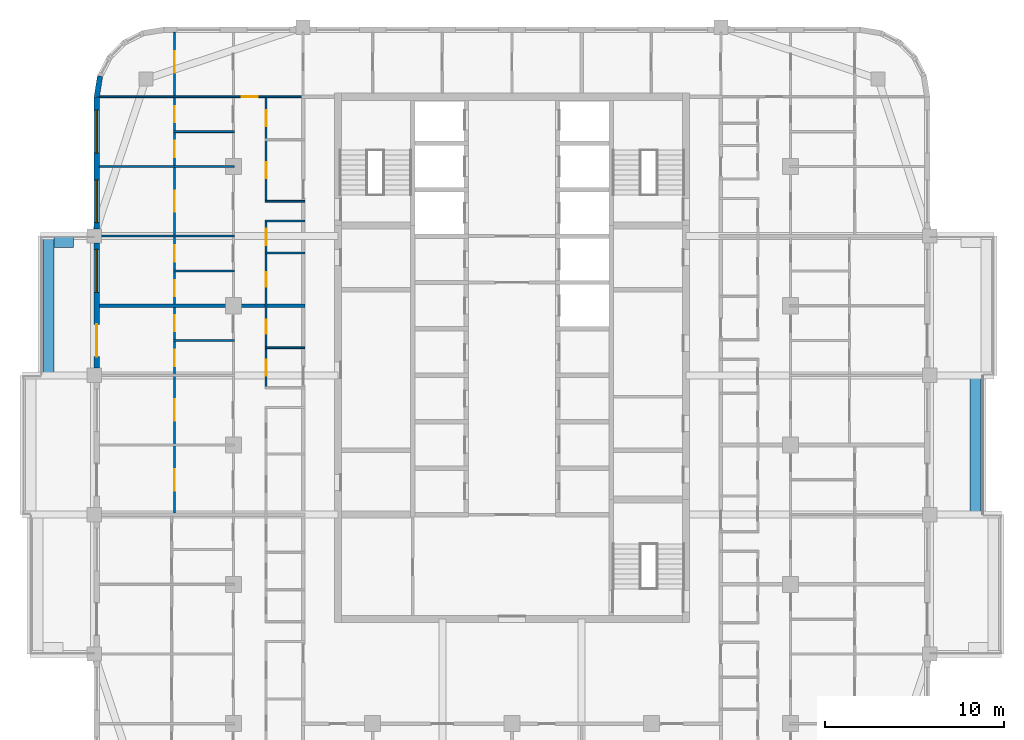
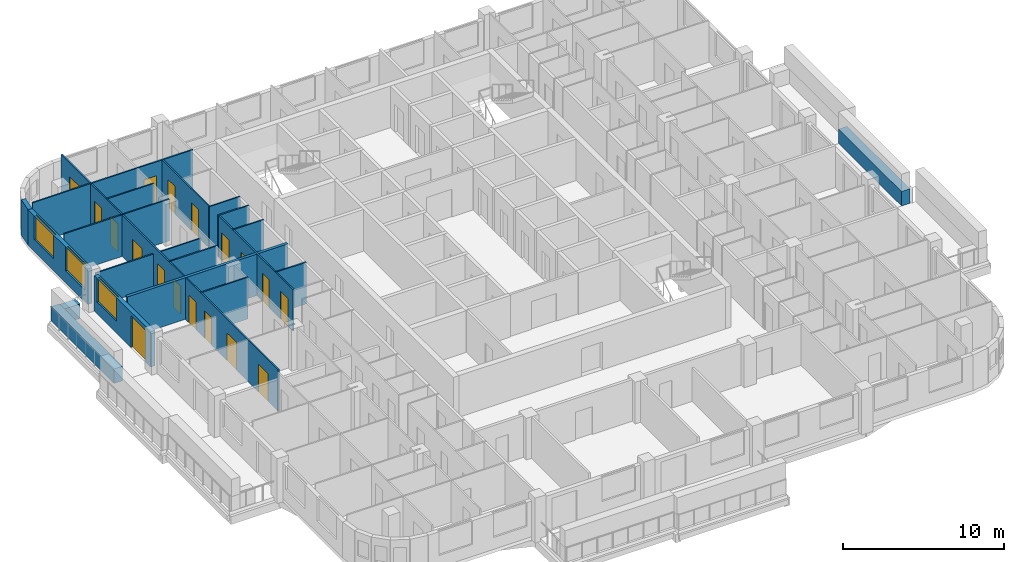
# One storey, part 8 of 16: 20 walls, 18 doors, 3 windows, 21 openings.
"""IFC4 building model written with IfcOpenShell, lengths in metres."""

from ifc_helpers import new_model, si_unit, direction, frame, frame_2d, origin, place, context, subcontext, project, spatial, rectangle, extrude, material, layer, layer_set, type_object, element, fill, save


model = new_model("IFC4")

# Units and contexts
model_context = context("Model", 3, precision=1e-05, world=origin(), true_north=direction((0.0, 1.0)))
body_context = subcontext(model_context, "Body", "Model", "MODEL_VIEW")
ifc_project = project(units=[si_unit("LENGTHUNIT", "METRE"), si_unit("AREAUNIT", "SQUARE_METRE"), si_unit("VOLUMEUNIT", "CUBIC_METRE"), si_unit("PLANEANGLEUNIT", "RADIAN"), si_unit("MASSUNIT", "GRAM", prefix="KILO")], contexts=[model_context])

# Site, building, storey
site_placement = place(None, origin())
site = spatial("IfcSite", under=ifc_project, at=site_placement, CompositionType="ELEMENT")
building_placement = place(site_placement, origin())
building = spatial("IfcBuilding", under=site, at=building_placement, Name="Ludao Terraces", CompositionType="ELEMENT")
storey_placement = place(building_placement, frame((0.0, 0.0, 217.699951171875)))
storey = spatial("IfcBuildingStorey", under=building, at=storey_placement, Name="L59", CompositionType="ELEMENT", Elevation=217.699951171875)

# Walls
ifc_material_1 = material(Name="Concrete C40", Category="concrete")
ifc_layer_1 = layer(ifc_material_1, 0.60009765625)
ifc_layer_set_1 = layer_set([ifc_layer_1], Name="ENV Planter trough 600")
wall_type_1 = type_object("IfcWallType", Name="ENV Planter trough 600", PredefinedType="USERDEFINED", material=ifc_layer_set_1)
wall_1_placement = place(storey_placement, frame((110.949951171875, 61.10009765625, 0.0), z_axis=(0.0, 0.0, 1.0), x_axis=(0.0, 1.0, 0.0)))
element("IfcWall", 1, at=wall_1_placement, inside=storey, type_object=wall_type_1, Name="PL-L59-E2", ObjectType="PLANTER", PredefinedType="USERDEFINED", context=body_context, shape_type="SweptSolid", body=[
    extrude(rectangle(XDim=7.7998046875, YDim=0.60009765625, at=frame_2d((3.89990234375, 0.0))), origin(), (0.0, 0.0, 1.0), 1.10009765625),
])
wall_2_placement = place(storey_placement, frame((59.050048828125, 68.89990234375, 0.0), z_axis=(0.0, 0.0, 1.0), x_axis=(0.0, 1.0, 0.0)))
element("IfcWall", 2, at=wall_2_placement, inside=storey, type_object=wall_type_1, Name="PL-L59-W3", ObjectType="PLANTER", PredefinedType="USERDEFINED", context=body_context, shape_type="SweptSolid", body=[
    extrude(rectangle(XDim=7.800048828125, YDim=0.60009765625, at=frame_2d((3.89990234375, 0.0))), origin(), (0.0, 0.0, 1.0), 1.10009765625),
])
wall_3_placement = place(storey_placement, frame((59.35009765625, 76.35009765625, 0.0), z_axis=(0.0, 0.0, 1.0), x_axis=(1.0, 0.0, 0.0)))
element("IfcWall", 3, at=wall_3_placement, inside=storey, type_object=wall_type_1, Name="PL-L59-W3-SB", ObjectType="PLANTER", PredefinedType="USERDEFINED", context=body_context, shape_type="SweptSolid", body=[
    extrude(rectangle(XDim=1.099853515625, YDim=0.60009765625, at=frame_2d((0.5498046875, 0.0))), origin(), (0.0, 0.0, 1.0), 1.10009765625),
])

# Wall, openings, door, window
ifc_material_2 = material(Name="Granite cladding", Category="masonry")
ifc_layer_2 = layer(ifc_material_2, 0.0400390625, Category="stone")
ifc_material_3 = material(Name="Mineral wool")
ifc_layer_3 = layer(ifc_material_3, 0.06005859375)
ifc_layer_4 = layer(ifc_material_1, 0.199951171875, Category="concrete")
ifc_layer_set_2 = layer_set([ifc_layer_2, ifc_layer_3, ifc_layer_4], Name="ENV Stone-clad wall 300")
wall_type_2 = type_object("IfcWallType", Name="ENV Stone-clad wall 300", PredefinedType="SOLIDWALL", material=ifc_layer_set_2)
wall_4_placement = place(storey_placement, frame((61.75, 69.300048828125, 0.0), z_axis=(0.0, 0.0, 1.0), x_axis=(0.0, 1.0, 0.0)))
wall_4 = element("IfcWall", 4, at=wall_4_placement, inside=storey, type_object=wall_type_2, Name="EW-L59-W4", PredefinedType="SOLIDWALL", context=body_context, shape_type="SweptSolid", body=[
    extrude(rectangle(XDim=7.0, YDim=0.300048828125, at=frame_2d((3.5, 0.0))), origin(), (0.0, 0.0, 1.0), 2.699951171875),
])
opening_1_placement = place(wall_4_placement, frame((0.64990234375, 0.0, 0.0)))
opening_1 = element("IfcOpeningElement", 5, at=opening_1_placement, cuts=wall_4, Name="Opening BD", PredefinedType="OPENING", context=body_context, shape_type="SweptSolid", body=[
    extrude(rectangle(XDim=1.800048828125, YDim=2.39990234375, at=frame_2d((0.89990234375, 1.199951171875))), frame((0.0, 0.16015625, 0.0), z_axis=(0.0, -1.0, 0.0), x_axis=(1.0, 0.0, 0.0)), (0.0, 0.0, 1.0), 0.320068359375),
])
opening_2_placement = place(wall_4_placement, frame((4.25, 0.0, 0.89990234375)))
opening_2 = element("IfcOpeningElement", 6, at=opening_2_placement, cuts=wall_4, Name="Opening W1", PredefinedType="OPENING", context=body_context, shape_type="SweptSolid", body=[
    extrude(rectangle(XDim=2.39990234375, YDim=1.800048828125, at=frame_2d((1.199951171875, 0.89990234375))), frame((0.0, 0.16015625, 0.0), z_axis=(0.0, -1.0, 0.0), x_axis=(1.0, 0.0, 0.0)), (0.0, 0.0, 1.0), 0.320068359375),
])
ifc_material_4 = material(Name="Aluminium glazed door", Category="aluminium")
ifc_layer_5 = layer(ifc_material_4, 0.06005859375)
ifc_layer_set_3 = layer_set([ifc_layer_5], Name="ENV Balcony door BD 1800x2400")
door_type_1 = type_object("IfcDoorType", Name="ENV Balcony door BD 1800x2400", OperationType="DOUBLE_DOOR_SINGLE_SWING", PredefinedType="DOOR", material=ifc_layer_set_3)
door_1_placement = place(opening_1_placement, origin())
door_1 = element("IfcDoor", 7, at=door_1_placement, inside=storey, type_object=door_type_1, Name="BD-L59-W4-1", OperationType="DOUBLE_DOOR_SINGLE_SWING", OverallHeight=2.39990234375, OverallWidth=1.800048828125, PredefinedType="DOOR", context=body_context, shape_type="SweptSolid", body=[
    extrude(rectangle(XDim=1.800048828125, YDim=2.39990234375, at=frame_2d((0.89990234375, 1.199951171875))), frame((0.0, 0.02490234375, 0.0), z_axis=(0.0, -1.0, 0.0), x_axis=(1.0, 0.0, 0.0)), (0.0, 0.0, 1.0), 0.050048828125),
])
fill(opening_1, door_1)
ifc_material_5 = material(Name="Clear glass in aluminium frame", Category="aluminium")
ifc_layer_6 = layer(ifc_material_5, 0.06005859375)
ifc_layer_set_4 = layer_set([ifc_layer_6], Name="ENV Window W1 2400x1800")
window_type = type_object("IfcWindowType", Name="ENV Window W1 2400x1800", PartitioningType="DOUBLE_PANEL_VERTICAL", PredefinedType="WINDOW", material=ifc_layer_set_4)
window_1_placement = place(opening_2_placement, origin())
window_1 = element("IfcWindow", 8, at=window_1_placement, inside=storey, type_object=window_type, Name="W-L59-W4-2", OverallHeight=1.800048828125, OverallWidth=2.39990234375, PartitioningType="DOUBLE_PANEL_VERTICAL", PredefinedType="WINDOW", context=body_context, shape_type="SweptSolid", body=[
    extrude(rectangle(XDim=2.39990234375, YDim=1.800048828125, at=frame_2d((1.199951171875, 0.89990234375))), frame((0.0, 0.030029296875, 0.0), z_axis=(0.0, -1.0, 0.0), x_axis=(1.0, 0.0, 0.0)), (0.0, 0.0, 1.0), 0.06005859375),
])
fill(opening_2, window_1)

# Wall, openings, windows
wall_5_placement = place(storey_placement, frame((61.75, 77.10009765625, 0.0), z_axis=(0.0, 0.0, 1.0), x_axis=(0.0, 1.0, 0.0)))
wall_5 = element("IfcWall", 9, at=wall_5_placement, inside=storey, type_object=wall_type_2, Name="EW-L59-W5", PredefinedType="SOLIDWALL", context=body_context, shape_type="SweptSolid", body=[
    extrude(rectangle(XDim=7.39990234375, YDim=0.300048828125, at=frame_2d((3.699951171875, 0.0))), origin(), (0.0, 0.0, 1.0), 2.699951171875),
])
opening_3_placement = place(wall_5_placement, frame((0.35009765625, 0.0, 0.89990234375)))
opening_3 = element("IfcOpeningElement", 10, at=opening_3_placement, cuts=wall_5, Name="Opening W1", PredefinedType="OPENING", context=body_context, shape_type="SweptSolid", body=[
    extrude(rectangle(XDim=2.39990234375, YDim=1.800048828125, at=frame_2d((1.199951171875, 0.89990234375))), frame((0.0, 0.16015625, 0.0), z_axis=(0.0, -1.0, 0.0), x_axis=(1.0, 0.0, 0.0)), (0.0, 0.0, 1.0), 0.320068359375),
])
opening_4_placement = place(wall_5_placement, frame((4.25, 0.0, 0.89990234375)))
opening_4 = element("IfcOpeningElement", 11, at=opening_4_placement, cuts=wall_5, Name="Opening W1", PredefinedType="OPENING", context=body_context, shape_type="SweptSolid", body=[
    extrude(rectangle(XDim=2.39990234375, YDim=1.800048828125, at=frame_2d((1.199951171875, 0.89990234375))), frame((0.0, 0.16015625, 0.0), z_axis=(0.0, -1.0, 0.0), x_axis=(1.0, 0.0, 0.0)), (0.0, 0.0, 1.0), 0.320068359375),
])
window_2_placement = place(opening_3_placement, origin())
window_2 = element("IfcWindow", 12, at=window_2_placement, inside=storey, type_object=window_type, Name="W-L59-W5-1", OverallHeight=1.800048828125, OverallWidth=2.39990234375, PartitioningType="DOUBLE_PANEL_VERTICAL", PredefinedType="WINDOW", context=body_context, shape_type="SweptSolid", body=[
    extrude(rectangle(XDim=2.39990234375, YDim=1.800048828125, at=frame_2d((1.199951171875, 0.89990234375))), frame((0.0, 0.030029296875, 0.0), z_axis=(0.0, -1.0, 0.0), x_axis=(1.0, 0.0, 0.0)), (0.0, 0.0, 1.0), 0.06005859375),
])
fill(opening_3, window_2)
window_3_placement = place(opening_4_placement, origin())
window_3 = element("IfcWindow", 13, at=window_3_placement, inside=storey, type_object=window_type, Name="W-L59-W5-2", OverallHeight=1.800048828125, OverallWidth=2.39990234375, PartitioningType="DOUBLE_PANEL_VERTICAL", PredefinedType="WINDOW", context=body_context, shape_type="SweptSolid", body=[
    extrude(rectangle(XDim=2.39990234375, YDim=1.800048828125, at=frame_2d((1.199951171875, 0.89990234375))), frame((0.0, 0.030029296875, 0.0), z_axis=(0.0, -1.0, 0.0), x_axis=(1.0, 0.0, 0.0)), (0.0, 0.0, 1.0), 0.06005859375),
])
fill(opening_4, window_3)

# Walls
wall_6_placement = place(storey_placement, frame((61.93359375, 85.65869140625, 0.0), z_axis=(0.0, 0.0, 1.0), x_axis=(-0.156496880861, -0.987678452879, 0.0)))
element("IfcWall", 14, at=wall_6_placement, inside=storey, type_object=wall_type_2, Name="EW-L59-NW5", PredefinedType="SOLIDWALL", context=body_context, shape_type="SweptSolid", body=[
    extrude(rectangle(XDim=1.173095703125, YDim=0.300048828125, at=frame_2d((0.58642578125, 0.0))), origin(), (0.0, 0.0, 1.0), 2.699951171875),
])
ifc_material_6 = material(Name="Gypsum plasterboard", Category="gypsum")
ifc_layer_7 = layer(ifc_material_6, 0.012451171875, Category="gypsum")
ifc_layer_8 = layer(ifc_material_3, 0.06005859375, Name="insulation")
ifc_material_7 = material(Name="Steel Q235", Category="steel")
ifc_layer_9 = layer(ifc_material_7, 0.014892578125, Name="stud")
ifc_layer_10 = layer(ifc_material_6, 0.012451171875, Category="gypsum")
ifc_layer_set_5 = layer_set([ifc_layer_7, ifc_layer_8, ifc_layer_9, ifc_layer_10], Name="INT Partition 100")
wall_type_3 = type_object("IfcWallType", Name="INT Partition 100", PredefinedType="PARTITIONING", material=ifc_layer_set_5)
wall_7_placement = place(storey_placement, frame((71.18017578125, 70.449951171875, 0.0), z_axis=(0.0, 0.0, 1.0), x_axis=(1.0, 0.0, 0.0)))
element("IfcWall", 15, at=wall_7_placement, inside=storey, type_object=wall_type_3, Name="PW-L59-PW041", PredefinedType="PARTITIONING", context=body_context, shape_type="SweptSolid", body=[
    extrude(rectangle(XDim=2.219970703125, YDim=0.10009765625, at=frame_2d((1.10986328125, 0.0))), origin(), (0.0, 0.0, 1.0), 3.150146484375),
])
for number, where, z_axis, x_axis, name in (
    (16, (66.050048828125, 70.85009765625, 0.0), (0.0, 0.0, 1.0), (1.0, 0.0, 0.0), "PW-L59-PW042"),
    (17, (66.050048828125, 74.75, 0.0), (0.0, 0.0, 1.0), (1.0, 0.0, 0.0), "PW-L59-PW049"),
):
    element("IfcWall", number, at=place(storey_placement, frame(where, z_axis=z_axis, x_axis=x_axis)), inside=storey, type_object=wall_type_3, Name=name, PredefinedType="PARTITIONING", context=body_context, shape_type="SweptSolid", body=[
        extrude(rectangle(XDim=3.400146484375, YDim=0.10009765625, at=frame_2d((1.7001953125, 0.0))), origin(), (0.0, 0.0, 1.0), 3.150146484375),
    ])
wall_8_placement = place(storey_placement, frame((71.18017578125, 75.75, 0.0), z_axis=(0.0, 0.0, 1.0), x_axis=(1.0, 0.0, 0.0)))
element("IfcWall", 18, at=wall_8_placement, inside=storey, type_object=wall_type_3, Name="PW-L59-PW051", PredefinedType="PARTITIONING", context=body_context, shape_type="SweptSolid", body=[
    extrude(rectangle(XDim=2.219970703125, YDim=0.10009765625, at=frame_2d((1.10986328125, 0.0))), origin(), (0.0, 0.0, 1.0), 3.150146484375),
])
wall_9_placement = place(storey_placement, frame((61.900146484375, 76.699951171875, 0.0), z_axis=(0.0, 0.0, 1.0), x_axis=(1.0, 0.0, 0.0)))
element("IfcWall", 19, at=wall_9_placement, inside=storey, type_object=wall_type_3, Name="PW-L59-PW052", PredefinedType="PARTITIONING", context=body_context, shape_type="SweptSolid", body=[
    extrude(rectangle(XDim=7.550048828125, YDim=0.10009765625, at=frame_2d((3.77490234375, 0.0))), origin(), (0.0, 0.0, 1.0), 2.550048828125),
])
for number, where, z_axis, x_axis, name in (
    (20, (71.18017578125, 77.550048828125, 0.0), (0.0, 0.0, 1.0), (1.0, 0.0, 0.0), "PW-L59-PW055"),
    (21, (71.18017578125, 78.64990234375, 0.0), (0.0, 0.0, 1.0), (1.0, 0.0, 0.0), "PW-L59-PW056"),
):
    element("IfcWall", number, at=place(storey_placement, frame(where, z_axis=z_axis, x_axis=x_axis)), inside=storey, type_object=wall_type_3, Name=name, PredefinedType="PARTITIONING", context=body_context, shape_type="SweptSolid", body=[
        extrude(rectangle(XDim=2.219970703125, YDim=0.10009765625, at=frame_2d((1.10986328125, 0.0))), origin(), (0.0, 0.0, 1.0), 3.150146484375),
    ])
wall_10_placement = place(storey_placement, frame((61.900146484375, 80.60009765625, 0.0), z_axis=(0.0, 0.0, 1.0), x_axis=(1.0, 0.0, 0.0)))
element("IfcWall", 22, at=wall_10_placement, inside=storey, type_object=wall_type_3, Name="PW-L59-PW059", PredefinedType="PARTITIONING", context=body_context, shape_type="SweptSolid", body=[
    extrude(rectangle(XDim=7.550048828125, YDim=0.10009765625, at=frame_2d((3.77490234375, 0.0))), origin(), (0.0, 0.0, 1.0), 3.150146484375),
])
wall_11_placement = place(storey_placement, frame((66.050048828125, 82.550048828125, 0.0), z_axis=(0.0, 0.0, 1.0), x_axis=(1.0, 0.0, 0.0)))
element("IfcWall", 23, at=wall_11_placement, inside=storey, type_object=wall_type_3, Name="PW-L59-PW063", PredefinedType="PARTITIONING", context=body_context, shape_type="SweptSolid", body=[
    extrude(rectangle(XDim=3.400146484375, YDim=0.10009765625, at=frame_2d((1.7001953125, 0.0))), origin(), (0.0, 0.0, 1.0), 3.150146484375),
])

# Wall, opening, door
wall_12_placement = place(storey_placement, frame((61.900146484375, 84.5, 0.0), z_axis=(0.0, 0.0, 1.0), x_axis=(1.0, 0.0, 0.0)))
wall_12 = element("IfcWall", 24, at=wall_12_placement, inside=storey, type_object=wall_type_3, Name="PW-L59-PW066", PredefinedType="PARTITIONING", context=body_context, shape_type="SweptSolid", body=[
    extrude(rectangle(XDim=11.5, YDim=0.10009765625, at=frame_2d((5.75, 0.0))), origin(), (0.0, 0.0, 1.0), 3.150146484375),
])
opening_5_placement = place(wall_12_placement, frame((7.965087890625, 0.0, 0.0)))
opening_5 = element("IfcOpeningElement", 25, at=opening_5_placement, cuts=wall_12, Name="Opening R21-133", PredefinedType="OPENING", context=body_context, shape_type="SweptSolid", body=[
    extrude(rectangle(XDim=0.89990234375, YDim=2.10009765625, at=frame_2d((0.449951171875, 1.050048828125))), frame((0.0, 0.06005859375, 0.0), z_axis=(0.0, -1.0, 0.0), x_axis=(1.0, 0.0, 0.0)), (0.0, 0.0, 1.0), 0.1201171875),
])
ifc_material_8 = material(Name="Timber door leaf", Category="wood")
door_type_2 = type_object("IfcDoorType", Name="INT Room door 900", OperationType="SINGLE_SWING_LEFT", PredefinedType="DOOR", material=ifc_material_8)
door_2_placement = place(opening_5_placement, origin())
door_2 = element("IfcDoor", 26, at=door_2_placement, inside=storey, type_object=door_type_2, Name="DOOR 133", OperationType="SINGLE_SWING_RIGHT", OverallHeight=2.10009765625, OverallWidth=0.89990234375, PredefinedType="DOOR", context=body_context, shape_type="SweptSolid", body=[
    extrude(rectangle(XDim=0.89990234375, YDim=2.10009765625, at=frame_2d((0.449951171875, 1.050048828125))), frame((0.0, 0.02490234375, 0.0), z_axis=(0.0, -1.0, 0.0), x_axis=(1.0, 0.0, 0.0)), (0.0, 0.0, 1.0), 0.050048828125),
])
fill(opening_5, door_2)

# Wall, openings, doors
wall_13_placement = place(storey_placement, frame((66.10009765625, 61.2001953125, 0.0), z_axis=(0.0, 0.0, 1.0), x_axis=(0.0, 1.0, 0.0)))
wall_13 = element("IfcWall", 27, at=wall_13_placement, inside=storey, type_object=wall_type_3, Name="PW-L59-PW071", PredefinedType="PARTITIONING", context=body_context, shape_type="SweptSolid", body=[
    extrude(rectangle(XDim=26.89990234375, YDim=0.10009765625, at=frame_2d((13.449951171875, 0.0))), origin(), (0.0, 0.0, 1.0), 3.150146484375),
])
opening_6_placement = place(wall_13_placement, frame((1.25, 0.0, 0.0)))
opening_6 = element("IfcOpeningElement", 28, at=opening_6_placement, cuts=wall_13, Name="Opening R21-057", PredefinedType="OPENING", context=body_context, shape_type="SweptSolid", body=[
    extrude(rectangle(XDim=1.199951171875, YDim=2.10009765625, at=frame_2d((0.60009765625, 1.050048828125))), frame((0.0, 0.06005859375, 0.0), z_axis=(0.0, -1.0, 0.0), x_axis=(1.0, 0.0, 0.0)), (0.0, 0.0, 1.0), 0.1201171875),
])
opening_7_placement = place(wall_13_placement, frame((5.14990234375, 0.0, 0.0)))
opening_7 = element("IfcOpeningElement", 29, at=opening_7_placement, cuts=wall_13, Name="Opening R21-068", PredefinedType="OPENING", context=body_context, shape_type="SweptSolid", body=[
    extrude(rectangle(XDim=1.199951171875, YDim=2.10009765625, at=frame_2d((0.60009765625, 1.050048828125))), frame((0.0, 0.06005859375, 0.0), z_axis=(0.0, -1.0, 0.0), x_axis=(1.0, 0.0, 0.0)), (0.0, 0.0, 1.0), 0.1201171875),
])
opening_8_placement = place(wall_13_placement, frame((8.224853515625, 0.0, 0.0)))
opening_8 = element("IfcOpeningElement", 30, at=opening_8_placement, cuts=wall_13, Name="Opening R21-078", PredefinedType="OPENING", context=body_context, shape_type="SweptSolid", body=[
    extrude(rectangle(XDim=0.89990234375, YDim=2.10009765625, at=frame_2d((0.449951171875, 1.050048828125))), frame((0.0, 0.06005859375, 0.0), z_axis=(0.0, -1.0, 0.0), x_axis=(1.0, 0.0, 0.0)), (0.0, 0.0, 1.0), 0.1201171875),
])
opening_9_placement = place(wall_13_placement, frame((10.1748046875, 0.0, 0.0)))
opening_9 = element("IfcOpeningElement", 31, at=opening_9_placement, cuts=wall_13, Name="Opening R21-087", PredefinedType="OPENING", context=body_context, shape_type="SweptSolid", body=[
    extrude(rectangle(XDim=0.89990234375, YDim=2.10009765625, at=frame_2d((0.449951171875, 1.050048828125))), frame((0.0, 0.06005859375, 0.0), z_axis=(0.0, -1.0, 0.0), x_axis=(1.0, 0.0, 0.0)), (0.0, 0.0, 1.0), 0.1201171875),
])
opening_10_placement = place(wall_13_placement, frame((12.125, 0.0, 0.0)))
opening_10 = element("IfcOpeningElement", 32, at=opening_10_placement, cuts=wall_13, Name="Opening R21-092", PredefinedType="OPENING", context=body_context, shape_type="SweptSolid", body=[
    extrude(rectangle(XDim=0.89990234375, YDim=2.10009765625, at=frame_2d((0.449951171875, 1.050048828125))), frame((0.0, 0.06005859375, 0.0), z_axis=(0.0, -1.0, 0.0), x_axis=(1.0, 0.0, 0.0)), (0.0, 0.0, 1.0), 0.1201171875),
])
opening_11_placement = place(wall_13_placement, frame((14.074951171875, 0.0, 0.0)))
opening_11 = element("IfcOpeningElement", 33, at=opening_11_placement, cuts=wall_13, Name="Opening R21-101", PredefinedType="OPENING", context=body_context, shape_type="SweptSolid", body=[
    extrude(rectangle(XDim=0.89990234375, YDim=2.10009765625, at=frame_2d((0.449951171875, 1.050048828125))), frame((0.0, 0.06005859375, 0.0), z_axis=(0.0, -1.0, 0.0), x_axis=(1.0, 0.0, 0.0)), (0.0, 0.0, 1.0), 0.1201171875),
])
opening_12_placement = place(wall_13_placement, frame((16.849853515625, 0.0, 0.0)))
opening_12 = element("IfcOpeningElement", 34, at=opening_12_placement, cuts=wall_13, Name="Opening R21-112", PredefinedType="OPENING", context=body_context, shape_type="SweptSolid", body=[
    extrude(rectangle(XDim=1.199951171875, YDim=2.10009765625, at=frame_2d((0.60009765625, 1.050048828125))), frame((0.0, 0.06005859375, 0.0), z_axis=(0.0, -1.0, 0.0), x_axis=(1.0, 0.0, 0.0)), (0.0, 0.0, 1.0), 0.1201171875),
])
opening_13_placement = place(wall_13_placement, frame((19.9248046875, 0.0, 0.0)))
opening_13 = element("IfcOpeningElement", 35, at=opening_13_placement, cuts=wall_13, Name="Opening R21-122", PredefinedType="OPENING", context=body_context, shape_type="SweptSolid", body=[
    extrude(rectangle(XDim=0.89990234375, YDim=2.10009765625, at=frame_2d((0.449951171875, 1.050048828125))), frame((0.0, 0.06005859375, 0.0), z_axis=(0.0, -1.0, 0.0), x_axis=(1.0, 0.0, 0.0)), (0.0, 0.0, 1.0), 0.1201171875),
])
opening_14_placement = place(wall_13_placement, frame((21.875, 0.0, 0.0)))
opening_14 = element("IfcOpeningElement", 36, at=opening_14_placement, cuts=wall_13, Name="Opening R21-128", PredefinedType="OPENING", context=body_context, shape_type="SweptSolid", body=[
    extrude(rectangle(XDim=0.89990234375, YDim=2.10009765625, at=frame_2d((0.449951171875, 1.050048828125))), frame((0.0, 0.06005859375, 0.0), z_axis=(0.0, -1.0, 0.0), x_axis=(1.0, 0.0, 0.0)), (0.0, 0.0, 1.0), 0.1201171875),
])
opening_15_placement = place(wall_13_placement, frame((24.64990234375, 0.0, 0.0)))
opening_15 = element("IfcOpeningElement", 37, at=opening_15_placement, cuts=wall_13, Name="Opening R21-135", PredefinedType="OPENING", context=body_context, shape_type="SweptSolid", body=[
    extrude(rectangle(XDim=1.199951171875, YDim=2.10009765625, at=frame_2d((0.60009765625, 1.050048828125))), frame((0.0, 0.06005859375, 0.0), z_axis=(0.0, -1.0, 0.0), x_axis=(1.0, 0.0, 0.0)), (0.0, 0.0, 1.0), 0.1201171875),
])
door_type_3 = type_object("IfcDoorType", Name="INT Bathroom door 900", OperationType="SINGLE_SWING_LEFT", PredefinedType="DOOR", material=ifc_material_8)
door_3_placement = place(opening_8_placement, origin())
door_3 = element("IfcDoor", 38, at=door_3_placement, inside=storey, type_object=door_type_3, Name="DOOR 078", OperationType="SINGLE_SWING_RIGHT", OverallHeight=2.10009765625, OverallWidth=0.89990234375, PredefinedType="DOOR", context=body_context, shape_type="SweptSolid", body=[
    extrude(rectangle(XDim=0.89990234375, YDim=2.10009765625, at=frame_2d((0.449951171875, 1.050048828125))), frame((0.0, 0.02490234375, 0.0), z_axis=(0.0, -1.0, 0.0), x_axis=(1.0, 0.0, 0.0)), (0.0, 0.0, 1.0), 0.050048828125),
])
fill(opening_8, door_3)
door_4_placement = place(opening_10_placement, origin())
door_4 = element("IfcDoor", 39, at=door_4_placement, inside=storey, type_object=door_type_3, Name="DOOR 092", OperationType="SINGLE_SWING_RIGHT", OverallHeight=2.10009765625, OverallWidth=0.89990234375, PredefinedType="DOOR", context=body_context, shape_type="SweptSolid", body=[
    extrude(rectangle(XDim=0.89990234375, YDim=2.10009765625, at=frame_2d((0.449951171875, 1.050048828125))), frame((0.0, 0.02490234375, 0.0), z_axis=(0.0, -1.0, 0.0), x_axis=(1.0, 0.0, 0.0)), (0.0, 0.0, 1.0), 0.050048828125),
])
fill(opening_10, door_4)
door_5_placement = place(opening_13_placement, origin())
door_5 = element("IfcDoor", 40, at=door_5_placement, inside=storey, type_object=door_type_3, Name="DOOR 122", OperationType="SINGLE_SWING_LEFT", OverallHeight=2.10009765625, OverallWidth=0.89990234375, PredefinedType="DOOR", context=body_context, shape_type="SweptSolid", body=[
    extrude(rectangle(XDim=0.89990234375, YDim=2.10009765625, at=frame_2d((0.449951171875, 1.050048828125))), frame((0.0, 0.02490234375, 0.0), z_axis=(0.0, -1.0, 0.0), x_axis=(1.0, 0.0, 0.0)), (0.0, 0.0, 1.0), 0.050048828125),
])
fill(opening_13, door_5)
door_type_4 = type_object("IfcDoorType", Name="INT Double door 1200", OperationType="DOUBLE_DOOR_SINGLE_SWING", PredefinedType="DOOR", material=ifc_material_8)
door_6_placement = place(opening_6_placement, origin())
door_6 = element("IfcDoor", 41, at=door_6_placement, inside=storey, type_object=door_type_4, Name="DOOR 057", OperationType="DOUBLE_DOOR_SINGLE_SWING", OverallHeight=2.10009765625, OverallWidth=1.199951171875, PredefinedType="DOOR", context=body_context, shape_type="SweptSolid", body=[
    extrude(rectangle(XDim=1.199951171875, YDim=2.10009765625, at=frame_2d((0.60009765625, 1.050048828125))), frame((0.0, 0.02490234375, 0.0), z_axis=(0.0, -1.0, 0.0), x_axis=(1.0, 0.0, 0.0)), (0.0, 0.0, 1.0), 0.050048828125),
])
fill(opening_6, door_6)
door_7_placement = place(opening_7_placement, origin())
door_7 = element("IfcDoor", 42, at=door_7_placement, inside=storey, type_object=door_type_4, Name="DOOR 068", OperationType="DOUBLE_DOOR_SINGLE_SWING", OverallHeight=2.10009765625, OverallWidth=1.199951171875, PredefinedType="DOOR", context=body_context, shape_type="SweptSolid", body=[
    extrude(rectangle(XDim=1.199951171875, YDim=2.10009765625, at=frame_2d((0.60009765625, 1.050048828125))), frame((0.0, 0.02490234375, 0.0), z_axis=(0.0, -1.0, 0.0), x_axis=(1.0, 0.0, 0.0)), (0.0, 0.0, 1.0), 0.050048828125),
])
fill(opening_7, door_7)
door_8_placement = place(opening_12_placement, origin())
door_8 = element("IfcDoor", 43, at=door_8_placement, inside=storey, type_object=door_type_4, Name="DOOR 112", OperationType="DOUBLE_DOOR_SINGLE_SWING", OverallHeight=2.10009765625, OverallWidth=1.199951171875, PredefinedType="DOOR", context=body_context, shape_type="SweptSolid", body=[
    extrude(rectangle(XDim=1.199951171875, YDim=2.10009765625, at=frame_2d((0.60009765625, 1.050048828125))), frame((0.0, 0.02490234375, 0.0), z_axis=(0.0, -1.0, 0.0), x_axis=(1.0, 0.0, 0.0)), (0.0, 0.0, 1.0), 0.050048828125),
])
fill(opening_12, door_8)
door_9_placement = place(opening_15_placement, origin())
door_9 = element("IfcDoor", 44, at=door_9_placement, inside=storey, type_object=door_type_4, Name="DOOR 135", OperationType="DOUBLE_DOOR_SINGLE_SWING", OverallHeight=2.10009765625, OverallWidth=1.199951171875, PredefinedType="DOOR", context=body_context, shape_type="SweptSolid", body=[
    extrude(rectangle(XDim=1.199951171875, YDim=2.10009765625, at=frame_2d((0.60009765625, 1.050048828125))), frame((0.0, 0.02490234375, 0.0), z_axis=(0.0, -1.0, 0.0), x_axis=(1.0, 0.0, 0.0)), (0.0, 0.0, 1.0), 0.050048828125),
])
fill(opening_15, door_9)
door_10_placement = place(opening_9_placement, origin())
door_10 = element("IfcDoor", 45, at=door_10_placement, inside=storey, type_object=door_type_2, Name="DOOR 087", OperationType="SINGLE_SWING_RIGHT", OverallHeight=2.10009765625, OverallWidth=0.89990234375, PredefinedType="DOOR", context=body_context, shape_type="SweptSolid", body=[
    extrude(rectangle(XDim=0.89990234375, YDim=2.10009765625, at=frame_2d((0.449951171875, 1.050048828125))), frame((0.0, 0.02490234375, 0.0), z_axis=(0.0, -1.0, 0.0), x_axis=(1.0, 0.0, 0.0)), (0.0, 0.0, 1.0), 0.050048828125),
])
fill(opening_9, door_10)
door_11_placement = place(opening_11_placement, origin())
door_11 = element("IfcDoor", 46, at=door_11_placement, inside=storey, type_object=door_type_2, Name="DOOR 101", OperationType="SINGLE_SWING_RIGHT", OverallHeight=2.10009765625, OverallWidth=0.89990234375, PredefinedType="DOOR", context=body_context, shape_type="SweptSolid", body=[
    extrude(rectangle(XDim=0.89990234375, YDim=2.10009765625, at=frame_2d((0.449951171875, 1.050048828125))), frame((0.0, 0.02490234375, 0.0), z_axis=(0.0, -1.0, 0.0), x_axis=(1.0, 0.0, 0.0)), (0.0, 0.0, 1.0), 0.050048828125),
])
fill(opening_11, door_11)
door_12_placement = place(opening_14_placement, origin())
door_12 = element("IfcDoor", 47, at=door_12_placement, inside=storey, type_object=door_type_2, Name="DOOR 128", OperationType="SINGLE_SWING_RIGHT", OverallHeight=2.10009765625, OverallWidth=0.89990234375, PredefinedType="DOOR", context=body_context, shape_type="SweptSolid", body=[
    extrude(rectangle(XDim=0.89990234375, YDim=2.10009765625, at=frame_2d((0.449951171875, 1.050048828125))), frame((0.0, 0.02490234375, 0.0), z_axis=(0.0, -1.0, 0.0), x_axis=(1.0, 0.0, 0.0)), (0.0, 0.0, 1.0), 0.050048828125),
])
fill(opening_14, door_12)

wall_14_placement = place(storey_placement, frame((71.22998046875, 68.25, 0.0), z_axis=(0.0, 0.0, 1.0), x_axis=(0.0, 1.0, 0.0)))
wall_14 = element("IfcWall", 48, at=wall_14_placement, inside=storey, type_object=wall_type_3, Name="PW-L59-PW075", PredefinedType="PARTITIONING", context=body_context, shape_type="SweptSolid", body=[
    extrude(rectangle(XDim=9.25, YDim=0.10009765625, at=frame_2d((4.625, 0.0))), origin(), (0.0, 0.0, 1.0), 3.150146484375),
])
opening_16_placement = place(wall_14_placement, frame((0.625, 0.0, 0.0)))
opening_16 = element("IfcOpeningElement", 49, at=opening_16_placement, cuts=wall_14, Name="Opening R21-077", PredefinedType="OPENING", context=body_context, shape_type="SweptSolid", body=[
    extrude(rectangle(XDim=0.89990234375, YDim=2.10009765625, at=frame_2d((0.449951171875, 1.050048828125))), frame((0.0, 0.06005859375, 0.0), z_axis=(0.0, -1.0, 0.0), x_axis=(1.0, 0.0, 0.0)), (0.0, 0.0, 1.0), 0.1201171875),
])
opening_17_placement = place(wall_14_placement, frame((2.97509765625, 0.0, 0.0)))
opening_17 = element("IfcOpeningElement", 50, at=opening_17_placement, cuts=wall_14, Name="Opening R21-084", PredefinedType="OPENING", context=body_context, shape_type="SweptSolid", body=[
    extrude(rectangle(XDim=0.800048828125, YDim=2.10009765625, at=frame_2d((0.39990234375, 1.050048828125))), frame((0.0, 0.06005859375, 0.0), z_axis=(0.0, -1.0, 0.0), x_axis=(1.0, 0.0, 0.0)), (0.0, 0.0, 1.0), 0.1201171875),
])
opening_18_placement = place(wall_14_placement, frame((5.625, 0.0, 0.0)))
opening_18 = element("IfcOpeningElement", 51, at=opening_18_placement, cuts=wall_14, Name="Opening R21-095", PredefinedType="OPENING", context=body_context, shape_type="SweptSolid", body=[
    extrude(rectangle(XDim=0.800048828125, YDim=2.10009765625, at=frame_2d((0.39990234375, 1.050048828125))), frame((0.0, 0.06005859375, 0.0), z_axis=(0.0, -1.0, 0.0), x_axis=(1.0, 0.0, 0.0)), (0.0, 0.0, 1.0), 0.1201171875),
])
opening_19_placement = place(wall_14_placement, frame((7.9501953125, 0.0, 0.0)))
opening_19 = element("IfcOpeningElement", 52, at=opening_19_placement, cuts=wall_14, Name="Opening R21-105", PredefinedType="OPENING", context=body_context, shape_type="SweptSolid", body=[
    extrude(rectangle(XDim=0.89990234375, YDim=2.10009765625, at=frame_2d((0.449951171875, 1.050048828125))), frame((0.0, 0.06005859375, 0.0), z_axis=(0.0, -1.0, 0.0), x_axis=(1.0, 0.0, 0.0)), (0.0, 0.0, 1.0), 0.1201171875),
])
door_13_placement = place(opening_16_placement, origin())
door_13 = element("IfcDoor", 53, at=door_13_placement, inside=storey, type_object=door_type_3, Name="DOOR 077", OperationType="SINGLE_SWING_RIGHT", OverallHeight=2.10009765625, OverallWidth=0.89990234375, PredefinedType="DOOR", context=body_context, shape_type="SweptSolid", body=[
    extrude(rectangle(XDim=0.89990234375, YDim=2.10009765625, at=frame_2d((0.449951171875, 1.050048828125))), frame((0.0, 0.02490234375, 0.0), z_axis=(0.0, -1.0, 0.0), x_axis=(1.0, 0.0, 0.0)), (0.0, 0.0, 1.0), 0.050048828125),
])
fill(opening_16, door_13)
door_14_placement = place(opening_19_placement, origin())
door_14 = element("IfcDoor", 54, at=door_14_placement, inside=storey, type_object=door_type_3, Name="DOOR 105", OperationType="SINGLE_SWING_LEFT", OverallHeight=2.10009765625, OverallWidth=0.89990234375, PredefinedType="DOOR", context=body_context, shape_type="SweptSolid", body=[
    extrude(rectangle(XDim=0.89990234375, YDim=2.10009765625, at=frame_2d((0.449951171875, 1.050048828125))), frame((0.0, 0.02490234375, 0.0), z_axis=(0.0, -1.0, 0.0), x_axis=(1.0, 0.0, 0.0)), (0.0, 0.0, 1.0), 0.050048828125),
])
fill(opening_19, door_14)
door_type_5 = type_object("IfcDoorType", Name="INT Store door 800", OperationType="SINGLE_SWING_LEFT", PredefinedType="DOOR", material=ifc_material_8)
door_15_placement = place(opening_17_placement, origin())
door_15 = element("IfcDoor", 55, at=door_15_placement, inside=storey, type_object=door_type_5, Name="DOOR 084", OperationType="SINGLE_SWING_RIGHT", OverallHeight=2.10009765625, OverallWidth=0.800048828125, PredefinedType="DOOR", context=body_context, shape_type="SweptSolid", body=[
    extrude(rectangle(XDim=0.800048828125, YDim=2.10009765625, at=frame_2d((0.39990234375, 1.050048828125))), frame((0.0, 0.02490234375, 0.0), z_axis=(0.0, -1.0, 0.0), x_axis=(1.0, 0.0, 0.0)), (0.0, 0.0, 1.0), 0.050048828125),
])
fill(opening_17, door_15)
door_16_placement = place(opening_18_placement, origin())
door_16 = element("IfcDoor", 56, at=door_16_placement, inside=storey, type_object=door_type_5, Name="DOOR 095", OperationType="SINGLE_SWING_RIGHT", OverallHeight=2.10009765625, OverallWidth=0.800048828125, PredefinedType="DOOR", context=body_context, shape_type="SweptSolid", body=[
    extrude(rectangle(XDim=0.800048828125, YDim=2.10009765625, at=frame_2d((0.39990234375, 1.050048828125))), frame((0.0, 0.02490234375, 0.0), z_axis=(0.0, -1.0, 0.0), x_axis=(1.0, 0.0, 0.0)), (0.0, 0.0, 1.0), 0.050048828125),
])
fill(opening_18, door_16)

wall_15_placement = place(storey_placement, frame((71.22998046875, 78.7001953125, 0.0), z_axis=(0.0, 0.0, 1.0), x_axis=(0.0, 1.0, 0.0)))
wall_15 = element("IfcWall", 57, at=wall_15_placement, inside=storey, type_object=wall_type_3, Name="PW-L59-PW076", PredefinedType="PARTITIONING", context=body_context, shape_type="SweptSolid", body=[
    extrude(rectangle(XDim=5.75, YDim=0.10009765625, at=frame_2d((2.875, 0.0))), origin(), (0.0, 0.0, 1.0), 3.150146484375),
])
opening_20_placement = place(wall_15_placement, frame((1.224853515625, 0.0, 0.0)))
opening_20 = element("IfcOpeningElement", 58, at=opening_20_placement, cuts=wall_15, Name="Opening R21-117", PredefinedType="OPENING", context=body_context, shape_type="SweptSolid", body=[
    extrude(rectangle(XDim=0.89990234375, YDim=2.10009765625, at=frame_2d((0.449951171875, 1.050048828125))), frame((0.0, 0.06005859375, 0.0), z_axis=(0.0, -1.0, 0.0), x_axis=(1.0, 0.0, 0.0)), (0.0, 0.0, 1.0), 0.1201171875),
])
opening_21_placement = place(wall_15_placement, frame((4.14990234375, 0.0, 0.0)))
opening_21 = element("IfcOpeningElement", 59, at=opening_21_placement, cuts=wall_15, Name="Opening R21-127", PredefinedType="OPENING", context=body_context, shape_type="SweptSolid", body=[
    extrude(rectangle(XDim=0.89990234375, YDim=2.10009765625, at=frame_2d((0.449951171875, 1.050048828125))), frame((0.0, 0.06005859375, 0.0), z_axis=(0.0, -1.0, 0.0), x_axis=(1.0, 0.0, 0.0)), (0.0, 0.0, 1.0), 0.1201171875),
])
door_17_placement = place(opening_21_placement, origin())
door_17 = element("IfcDoor", 60, at=door_17_placement, inside=storey, type_object=door_type_3, Name="DOOR 127", OperationType="SINGLE_SWING_RIGHT", OverallHeight=2.10009765625, OverallWidth=0.89990234375, PredefinedType="DOOR", context=body_context, shape_type="SweptSolid", body=[
    extrude(rectangle(XDim=0.89990234375, YDim=2.10009765625, at=frame_2d((0.449951171875, 1.050048828125))), frame((0.0, 0.02490234375, 0.0), z_axis=(0.0, -1.0, 0.0), x_axis=(1.0, 0.0, 0.0)), (0.0, 0.0, 1.0), 0.050048828125),
])
fill(opening_21, door_17)
door_18_placement = place(opening_20_placement, origin())
door_18 = element("IfcDoor", 61, at=door_18_placement, inside=storey, type_object=door_type_2, Name="DOOR 117", OperationType="SINGLE_SWING_RIGHT", OverallHeight=2.10009765625, OverallWidth=0.89990234375, PredefinedType="DOOR", context=body_context, shape_type="SweptSolid", body=[
    extrude(rectangle(XDim=0.89990234375, YDim=2.10009765625, at=frame_2d((0.449951171875, 1.050048828125))), frame((0.0, 0.02490234375, 0.0), z_axis=(0.0, -1.0, 0.0), x_axis=(1.0, 0.0, 0.0)), (0.0, 0.0, 1.0), 0.050048828125),
])
fill(opening_20, door_18)

# Wall
ifc_material_9 = material(Name="Autoclaved aerated concrete block B06 A3.5", Category="concrete")
ifc_layer_11 = layer(ifc_material_9, 0.199951171875)
ifc_layer_set_6 = layer_set([ifc_layer_11], Name="INT Party wall 200")
wall_type_4 = type_object("IfcWallType", Name="INT Party wall 200", PredefinedType="PARTITIONING", material=ifc_layer_set_6)
wall_16_placement = place(storey_placement, frame((61.900146484375, 72.800048828125, 0.0), z_axis=(0.0, 0.0, 1.0), x_axis=(1.0, 0.0, 0.0)))
element("IfcWall", 62, at=wall_16_placement, inside=storey, type_object=wall_type_4, Name="PW-L59-PW045", PredefinedType="PARTITIONING", context=body_context, shape_type="SweptSolid", body=[
    extrude(rectangle(XDim=11.5, YDim=0.199951171875, at=frame_2d((5.75, 0.0))), origin(), (0.0, 0.0, 1.0), 3.150146484375),
])

save(model, "model.ifc")
